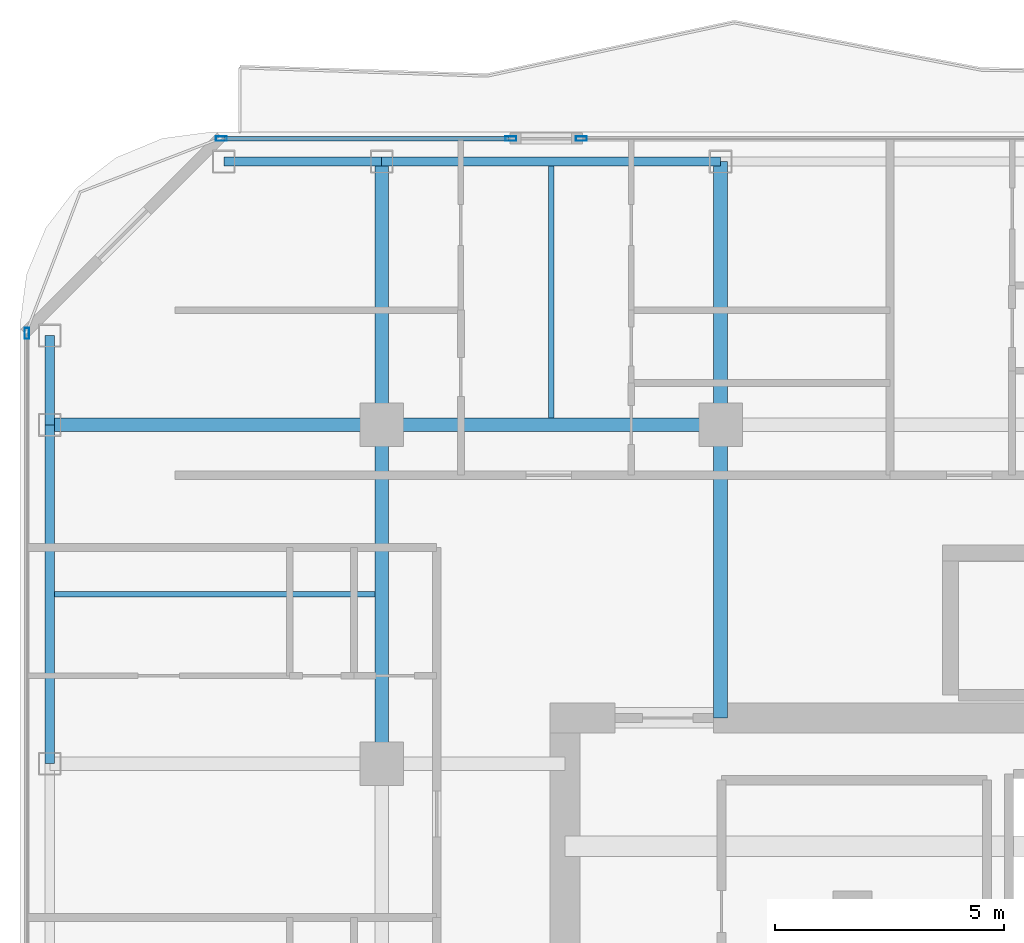
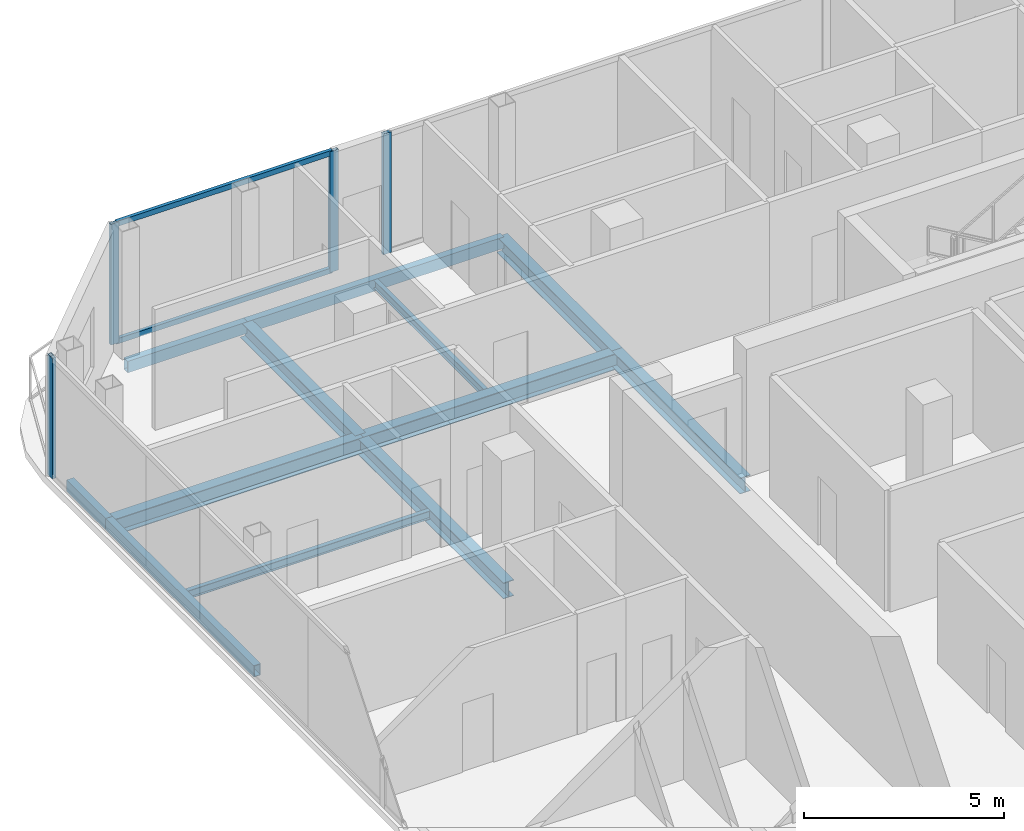
# One storey, part 11 of 23: 12 beams, 6 members, 3 elements without a shape of their own.
"""IFC4 building model written with IfcOpenShell, lengths in metres."""

import ifcopenshell
import ifcopenshell.guid

model = None  # the IFC model being written
_history = None  # IfcOwnerHistory: only IFC2X3 demands one
_inside = {}  # id of a spatial element -> (the spatial element, [elements in it])
_under = {}  # id of a project, library or spatial element -> (it, [spatial elements below it])
_declared = {}  # id of a project -> (the project, [libraries it declares])
_typed = {}  # id of a type object -> (the type object, [elements of that type])
_made_of = {}  # id of a material, layer set ... -> (it, [elements and type objects made of it])


def new_model(schema):
    """Start an empty IFC model of exactly this schema.

    Asked for "IFC4X3", IfcOpenShell would pick the latest addendum, in which some entities
    have other attributes; the version numbers below select the first issue.
    IFC2X3 requires an IfcOwnerHistory on every rooted entity: one is made here for all.
    """
    global model, _history
    if schema == "IFC4X3":
        model = ifcopenshell.file(schema_version=(4, 3, 0, 0))
    else:
        model = ifcopenshell.file(schema=schema)
    _inside.clear()
    _under.clear()
    _declared.clear()
    _typed.clear()
    _made_of.clear()
    _history = None
    if model.schema == "IFC2X3":
        org = make("IfcOrganization", Name="unknown")
        user = make(
            "IfcPersonAndOrganization",
            ThePerson=make("IfcPerson", FamilyName="unknown"),
            TheOrganization=org,
        )
        app = make(
            "IfcApplication",
            ApplicationDeveloper=org,
            Version="unknown",
            ApplicationFullName="unknown",
            ApplicationIdentifier="unknown",
        )
        _history = make(
            "IfcOwnerHistory",
            OwningUser=user,
            OwningApplication=app,
            ChangeAction="ADDED",
            CreationDate=0,
        )
    return model


def make(cls, **values):
    """One entity of the class cls with the attributes given. An attribute that is None is left unset."""
    return model.create_entity(
        cls, **{name: value for name, value in values.items() if value is not None}
    )


def rooted(cls, **values):
    """An entity with a GlobalId (a new one), such as an element, a storey or a relation."""
    return make(cls, GlobalId=ifcopenshell.guid.new(), OwnerHistory=_history, **values)


def si_unit(unit_type, name, prefix=None):
    """IfcSIUnit, for example si_unit("LENGTHUNIT", "METRE", prefix="MILLI")."""
    return make("IfcSIUnit", UnitType=unit_type, Prefix=prefix, Name=name)


def assignment(units):
    """IfcUnitAssignment: the units of a project."""
    return None if units is None else make("IfcUnitAssignment", Units=units)


def point(xyz):
    """IfcCartesianPoint."""
    return None if xyz is None else make("IfcCartesianPoint", Coordinates=xyz)


def direction(xyz):
    """IfcDirection."""
    return None if xyz is None else make("IfcDirection", DirectionRatios=xyz)


def frame(location, z_axis=None, x_axis=None):
    """IfcAxis2Placement3D, a coordinate frame: its origin and axes. An axis left out is left unset."""
    return make(
        "IfcAxis2Placement3D",
        Location=point(location),
        Axis=direction(z_axis),
        RefDirection=direction(x_axis),
    )


def frame_2d(location, x_axis=None):
    """IfcAxis2Placement2D, a coordinate frame in the plane: its origin and x axis."""
    return make(
        "IfcAxis2Placement2D", Location=point(location), RefDirection=direction(x_axis)
    )


def origin():
    """The frame at (0, 0, 0) with its axes left unset."""
    return frame((0.0, 0.0, 0.0))


def origin_2d():
    """The frame at (0, 0) in the plane with its x axis left unset."""
    return frame_2d((0.0, 0.0))


def place(relative_to, where):
    """IfcLocalPlacement: puts the frame where relative to a parent placement (None: the world)."""
    return make(
        "IfcLocalPlacement", PlacementRelTo=relative_to, RelativePlacement=where
    )


def context(
    kind, dimensions, precision=None, world=None, true_north=None, identifier=None
):
    """IfcGeometricRepresentationContext, for example the 3D "Model" context."""
    return make(
        "IfcGeometricRepresentationContext",
        ContextIdentifier=identifier,
        ContextType=kind,
        CoordinateSpaceDimension=dimensions,
        Precision=precision,
        WorldCoordinateSystem=world,
        TrueNorth=true_north,
    )


def subcontext(parent, identifier, kind, view, scale=None):
    """IfcGeometricRepresentationSubContext, for example "Body" below "Model"."""
    return make(
        "IfcGeometricRepresentationSubContext",
        ContextIdentifier=identifier,
        ContextType=kind,
        ParentContext=parent,
        TargetScale=scale,
        TargetView=view,
    )


def project(units=None, contexts=None):
    """IfcProject with its units and contexts."""
    return rooted(
        "IfcProject",
        Name="project",
        RepresentationContexts=contexts,
        UnitsInContext=assignment(units),
    )


def spatial(cls, under=None, at=None, **own):
    """A site, building, storey or space (cls), placed at a placement, below another one or the project."""
    s = rooted(cls, ObjectPlacement=at, **own)
    if under is not None:
        _under.setdefault(under.id(), (under, []))[1].append(s)
    return s


def profile(cls, at=None, kind="AREA", **sizes):
    """A parametric profile (cls). Its sizes go by their IFC names, for example OverallWidth=200.0."""
    return make(cls, ProfileType=kind, Position=at, **sizes)


def hollow_rectangle(**sizes):
    """IfcRectangleHollowProfileDef."""
    return profile("IfcRectangleHollowProfileDef", **sizes)


def i_section(**sizes):
    """IfcIShapeProfileDef."""
    return profile("IfcIShapeProfileDef", **sizes)


def extrude(swept, where, along, depth):
    """IfcExtrudedAreaSolid: the profile swept, set in the frame where, extruded along a direction by depth."""
    return make(
        "IfcExtrudedAreaSolid",
        SweptArea=swept,
        Position=where,
        ExtrudedDirection=direction(along),
        Depth=depth,
    )


def shape(context_of_items, identifier, shape_type, items):
    """IfcShapeRepresentation: the items that make up one representation, for example the "Body"."""
    return make(
        "IfcShapeRepresentation",
        ContextOfItems=context_of_items,
        RepresentationIdentifier=identifier,
        RepresentationType=shape_type,
        Items=items,
    )


def material(Name=None, Category=None):
    """IfcMaterial."""
    return make("IfcMaterial", Name=Name, Category=Category)


def layer(
    of_material, thickness, ventilated=None, Name=None, Category=None, Priority=None
):
    """IfcMaterialLayer: one layer of a wall or slab, of a material (None: an air gap)."""
    return make(
        "IfcMaterialLayer",
        Material=of_material,
        LayerThickness=thickness,
        IsVentilated=ventilated,
        Name=Name,
        Category=Category,
        Priority=Priority,
    )


def layer_set(layers, Name=None):
    """IfcMaterialLayerSet."""
    return make("IfcMaterialLayerSet", MaterialLayers=layers, LayerSetName=Name)


def material_profile(
    of_material, cross_section, Name=None, Category=None, Priority=None
):
    """IfcMaterialProfile: a cross section and its material."""
    return make(
        "IfcMaterialProfile",
        Name=Name,
        Material=of_material,
        Profile=cross_section,
        Priority=Priority,
        Category=Category,
    )


def profile_set(profiles, Name=None, composite=None):
    """IfcMaterialProfileSet."""
    return make(
        "IfcMaterialProfileSet",
        Name=Name,
        MaterialProfiles=profiles,
        CompositeProfile=composite,
    )


def made_of(thing, what):
    """Note that an element or type object is made of a material, layer set ...; save() writes the relation."""
    if what is not None:
        _made_of.setdefault(what.id(), (what, []))[1].append(thing)
    return thing


def type_object(cls, material=None, **own):
    """A type object (cls), such as IfcWallType, which elements share."""
    return made_of(rooted(cls, **own), material)


def element(
    cls,
    number,
    at=None,
    inside=None,
    cuts=None,
    type_object=None,
    material=None,
    context=None,
    identifier="Body",
    shape_type=None,
    held_by="IfcProductDefinitionShape",
    body=None,
    shapes=None,
    **own,
):
    """One element of the class cls, such as IfcWall. Its Tag is "e" and its number.

    at: its placement. inside: the storey or other place that contains it. cuts: it is an
    opening in that element (IfcRelVoidsElement). A single representation is given by context,
    identifier, shape_type and body (its items); several are given by shapes. held_by: the class
    of the entity that holds the representations. save() writes the other relations.
    """
    e = rooted(cls, Tag="e%d" % number, ObjectPlacement=at, **own)
    if body is not None:
        shapes = [shape(context, identifier, shape_type, body)]
    if shapes is not None:
        e.Representation = make(held_by, Representations=shapes)
    if inside is not None:
        _inside.setdefault(inside.id(), (inside, []))[1].append(e)
    if cuts is not None:
        rooted(
            "IfcRelVoidsElement", RelatingBuildingElement=cuts, RelatedOpeningElement=e
        )
    if type_object is not None:
        _typed.setdefault(type_object.id(), (type_object, []))[1].append(e)
    return made_of(e, material)


def aggregate(whole, parts):
    """IfcRelAggregates: a whole, such as a stair, and the parts it consists of."""
    return rooted("IfcRelAggregates", RelatingObject=whole, RelatedObjects=parts)


def save(model, path):
    """Write the relations noted so far, then the file.

    IfcRelAggregates (storeys below a building ...), IfcRelContainedInSpatialStructure (elements
    in a storey), IfcRelDefinesByType, IfcRelAssociatesMaterial and IfcRelDeclares: one each for
    every whole, place, type object, material and project.
    """
    for whole, parts in _under.values():
        aggregate(whole, parts)
    for where, things in _inside.values():
        rooted(
            "IfcRelContainedInSpatialStructure",
            RelatedElements=things,
            RelatingStructure=where,
        )
    for kind, things in _typed.values():
        rooted("IfcRelDefinesByType", RelatedObjects=things, RelatingType=kind)
    for what, things in _made_of.values():
        rooted("IfcRelAssociatesMaterial", RelatedObjects=things, RelatingMaterial=what)
    for by, libraries in _declared.values():
        rooted("IfcRelDeclares", RelatingContext=by, RelatedDefinitions=libraries)
    model.write(path)


model = new_model("IFC4")

# Units and contexts
model_context = context("Model", 3, precision=1e-05, world=origin(), true_north=direction((0.0, 1.0)))
body_context = subcontext(model_context, "Body", "Model", "MODEL_VIEW")
ifc_project = project(units=[si_unit("LENGTHUNIT", "METRE"), si_unit("AREAUNIT", "SQUARE_METRE"), si_unit("VOLUMEUNIT", "CUBIC_METRE"), si_unit("PLANEANGLEUNIT", "RADIAN"), si_unit("MASSUNIT", "GRAM", prefix="KILO")], contexts=[model_context])

# Site, building, storey
site_placement = place(None, origin())
site = spatial("IfcSite", under=ifc_project, at=site_placement, CompositionType="ELEMENT")
building_placement = place(site_placement, origin())
building = spatial("IfcBuilding", under=site, at=building_placement, Name="Khorvyn Point Tower", CompositionType="ELEMENT")
storey_placement = place(building_placement, frame((0.0, 0.0, 297.60009765625)))
storey = spatial("IfcBuildingStorey", under=building, at=storey_placement, Name="L73", CompositionType="ELEMENT", Elevation=297.60009765625)

# Curtain wall, members
ifc_material_1 = material(Name="Anodised aluminium 6063-T6 and laminated Low-E glass", Category="aluminium")
ifc_layer = layer(ifc_material_1, 0.18994140625)
ifc_layer_set = layer_set([ifc_layer], Name="Stick-Built High-Wind Curtain Wall CW-SYS-04")
curtain_wall_type = type_object("IfcCurtainWallType", Name="Stick-Built High-Wind Curtain Wall CW-SYS-04", PredefinedType="NOTDEFINED", material=ifc_layer_set)
curtain_wall_1_placement = place(storey_placement, origin())
curtain_wall_1 = element("IfcCurtainWall", 1, at=curtain_wall_1_placement, inside=storey, type_object=curtain_wall_type, Name="Curtain Wall", PredefinedType="NOTDEFINED")
ifc_material_2 = material(Name="Anodised aluminium 6063-T6", Category="aluminium")
ifc_material_profile_1 = material_profile(ifc_material_2, hollow_rectangle(XDim=0.10009765625, YDim=0.239990234375, WallThickness=0.0048828125, at=origin_2d()))
ifc_profile_set_1 = profile_set([ifc_material_profile_1], Name="Anodised aluminium 6063-T6 ALU-MUL-100x240")
member_type_1 = type_object("IfcMemberType", Name="Anodised Aluminium 6063-T6 Mullion ALU-MUL-100x240", PredefinedType="MULLION", material=ifc_profile_set_1)
member_1_placement = place(storey_placement, frame((-18.300048828125, 21.050048828125, 0.0), z_axis=(0.0, 0.0, 1.0), x_axis=(0.0, 1.0, 0.0)))
member_1 = element("IfcMember", 2, at=member_1_placement, type_object=member_type_1, Name="Transom", PredefinedType="MULLION", context=body_context, shape_type="SweptSolid", body=[
    extrude(hollow_rectangle(XDim=0.10009765625, YDim=0.239990234375, WallThickness=0.0048828125, at=origin_2d()), origin(), (0.0, 0.0, 1.0), 3.679931640625),
])
member_2_placement = place(storey_placement, frame((-11.97998046875, 21.050048828125, 0.0), z_axis=(0.0, 0.0, 1.0), x_axis=(0.0, 1.0, 0.0)))
member_2 = element("IfcMember", 3, at=member_2_placement, type_object=member_type_1, Name="Transom", PredefinedType="MULLION", context=body_context, shape_type="SweptSolid", body=[
    extrude(hollow_rectangle(XDim=0.10009765625, YDim=0.239990234375, WallThickness=0.0048828125, at=origin_2d()), origin(), (0.0, 0.0, 1.0), 3.679931640625),
])

# Curtain wall, member
curtain_wall_2_placement = place(storey_placement, origin())
curtain_wall_2 = element("IfcCurtainWall", 4, at=curtain_wall_2_placement, inside=storey, type_object=curtain_wall_type, Name="Curtain Wall", PredefinedType="NOTDEFINED")
member_3_placement = place(storey_placement, frame((-10.43994140625, 21.050048828125, 0.0), z_axis=(0.0, 0.0, 1.0), x_axis=(0.0, 1.0, 0.0)))
member_3 = element("IfcMember", 5, at=member_3_placement, type_object=member_type_1, Name="Transom", PredefinedType="MULLION", context=body_context, shape_type="SweptSolid", body=[
    extrude(hollow_rectangle(XDim=0.10009765625, YDim=0.239990234375, WallThickness=0.0048828125, at=origin_2d()), origin(), (0.0, 0.0, 1.0), 3.679931640625),
])
aggregate(curtain_wall_2, [member_3])

curtain_wall_3_placement = place(storey_placement, origin())
curtain_wall_3 = element("IfcCurtainWall", 6, at=curtain_wall_3_placement, inside=storey, type_object=curtain_wall_type, Name="Curtain Wall", PredefinedType="NOTDEFINED")
member_4_placement = place(storey_placement, frame((-22.550048828125, 16.800048828125, 0.0), z_axis=(0.0, 0.0, 1.0), x_axis=(-1.0, 0.0, 0.0)))
member_4 = element("IfcMember", 7, at=member_4_placement, type_object=member_type_1, Name="Transom", PredefinedType="MULLION", context=body_context, shape_type="SweptSolid", body=[
    extrude(hollow_rectangle(XDim=0.10009765625, YDim=0.239990234375, WallThickness=0.0048828125, at=origin_2d()), origin(), (0.0, 0.0, 1.0), 3.679931640625),
])
aggregate(curtain_wall_3, [member_4])

# Member
ifc_material_profile_2 = material_profile(ifc_material_2, hollow_rectangle(XDim=0.10009765625, YDim=0.159912109375, WallThickness=0.00439453125, at=origin_2d()))
ifc_profile_set_2 = profile_set([ifc_material_profile_2], Name="Anodised aluminium 6063-T6 ALU-TRN-100x160")
member_type_2 = type_object("IfcMemberType", Name="Anodised Aluminium 6063-T6 Transom ALU-TRN-100x160", PredefinedType="USERDEFINED", material=ifc_profile_set_2)
member_5_placement = place(storey_placement, frame((-18.25, 21.050048828125, 0.0498046875), z_axis=(1.0, 0.0, 0.0), x_axis=(0.0, 1.0, 0.0)))
member_5 = element("IfcMember", 8, at=member_5_placement, type_object=member_type_2, Name="Transom", ObjectType="TRANSOM", PredefinedType="USERDEFINED", context=body_context, shape_type="SweptSolid", body=[
    extrude(hollow_rectangle(XDim=0.10009765625, YDim=0.159912109375, WallThickness=0.00439453125, at=origin_2d()), origin(), (0.0, 0.0, 1.0), 6.219970703125),
])

member_6_placement = place(storey_placement, frame((-18.25, 21.050048828125, 3.6298828125), z_axis=(1.0, 0.0, 0.0), x_axis=(0.0, 1.0, 0.0)))
member_6 = element("IfcMember", 9, at=member_6_placement, type_object=member_type_2, Name="Transom", ObjectType="TRANSOM", PredefinedType="USERDEFINED", context=body_context, shape_type="SweptSolid", body=[
    extrude(hollow_rectangle(XDim=0.10009765625, YDim=0.159912109375, WallThickness=0.00439453125, at=origin_2d()), origin(), (0.0, 0.0, 1.0), 6.219970703125),
])

aggregate(curtain_wall_1, [member_1, member_2, member_5, member_6])

# Beams
ifc_material_3 = material(Name="Steel S355", Category="steel")
ifc_material_profile_3 = material_profile(ifc_material_3, i_section(OverallWidth=0.125, OverallDepth=0.25, WebThickness=0.006103515625, FlangeThickness=0.009033203125, at=origin_2d()))
ifc_profile_set_3 = profile_set([ifc_material_profile_3], Name="Steel S355 H250x125x6x9")
beam_type_1 = type_object("IfcBeamType", Name="Steel S355 Joist H250x125x6x9", PredefinedType="JOIST", material=ifc_profile_set_3)
beam_1_placement = place(storey_placement, frame((-21.949951171875, 11.10009765625, -0.34521484375), z_axis=(1.0, 0.0, 0.0), x_axis=(0.0, 1.0, 0.0)))
element("IfcBeam", 10, at=beam_1_placement, inside=storey, type_object=beam_type_1, Name="Beam", PredefinedType="JOIST", context=body_context, shape_type="SweptSolid", body=[
    extrude(i_section(OverallWidth=0.125, OverallDepth=0.25, WebThickness=0.006103515625, FlangeThickness=0.009033203125, at=origin_2d()), origin(), (0.0, 0.0, 1.0), 7.0),
])
beam_2_placement = place(storey_placement, frame((-11.10009765625, 14.949951171875, -0.34521484375), z_axis=(0.0, 1.0, 0.0), x_axis=(-1.0, 0.0, 0.0)))
element("IfcBeam", 11, at=beam_2_placement, inside=storey, type_object=beam_type_1, Name="Beam", PredefinedType="JOIST", context=body_context, shape_type="SweptSolid", body=[
    extrude(i_section(OverallWidth=0.125, OverallDepth=0.25, WebThickness=0.006103515625, FlangeThickness=0.009033203125, at=origin_2d()), origin(), (0.0, 0.0, 1.0), 5.5),
])
ifc_material_profile_4 = material_profile(ifc_material_3, i_section(OverallWidth=0.300048828125, OverallDepth=0.488037109375, WebThickness=0.010986328125, FlangeThickness=0.01806640625, at=origin_2d()))
ifc_profile_set_4 = profile_set([ifc_material_profile_4], Name="Steel S355 H488x300x11x18")
beam_type_2 = type_object("IfcBeamType", Name="Steel S355 Spandrel H488x300x11x18", PredefinedType="SPANDREL", material=ifc_profile_set_4)
beam_3_placement = place(storey_placement, frame((-22.050048828125, 14.800048828125, -0.464111328125), z_axis=(1.0, 0.0, 0.0), x_axis=(0.0, 1.0, 0.0)))
element("IfcBeam", 12, at=beam_3_placement, inside=storey, type_object=beam_type_2, Name="Beam", PredefinedType="SPANDREL", context=body_context, shape_type="SweptSolid", body=[
    extrude(i_section(OverallWidth=0.300048828125, OverallDepth=0.488037109375, WebThickness=0.010986328125, FlangeThickness=0.01806640625, at=origin_2d()), origin(), (0.0, 0.0, 1.0), 7.25),
])
for number, where, z_axis, x_axis, name in (
    (13, (-14.800048828125, 14.800048828125, -0.464111328125), (1.0, 0.0, 0.0), (0.0, 1.0, 0.0), "Beam"),
    (14, (-14.800048828125, 7.39990234375, -0.464111328125), (0.0, 1.0, 0.0), (-1.0, 0.0, 0.0), "Beam"),
):
    element("IfcBeam", number, at=place(storey_placement, frame(where, z_axis=z_axis, x_axis=x_axis)), inside=storey, type_object=beam_type_2, Name=name, PredefinedType="SPANDREL", context=body_context, shape_type="SweptSolid", body=[
        extrude(i_section(OverallWidth=0.300048828125, OverallDepth=0.488037109375, WebThickness=0.010986328125, FlangeThickness=0.01806640625, at=origin_2d()), origin(), (0.0, 0.0, 1.0), 7.400146484375),
    ])
beam_4_placement = place(storey_placement, frame((-14.800048828125, 14.800048828125, -0.464111328125), z_axis=(0.0, 1.0, 0.0), x_axis=(-1.0, 0.0, 0.0)))
element("IfcBeam", 15, at=beam_4_placement, inside=storey, type_object=beam_type_2, Name="Beam", PredefinedType="SPANDREL", context=body_context, shape_type="SweptSolid", body=[
    extrude(i_section(OverallWidth=0.300048828125, OverallDepth=0.488037109375, WebThickness=0.010986328125, FlangeThickness=0.01806640625, at=origin_2d()), origin(), (0.0, 0.0, 1.0), 5.75),
])
beam_5_placement = place(storey_placement, frame((-7.39990234375, 8.39990234375, -0.464111328125), z_axis=(0.0, 1.0, 0.0), x_axis=(-1.0, 0.0, 0.0)))
element("IfcBeam", 16, at=beam_5_placement, inside=storey, type_object=beam_type_2, Name="Beam", PredefinedType="SPANDREL", context=body_context, shape_type="SweptSolid", body=[
    extrude(i_section(OverallWidth=0.300048828125, OverallDepth=0.488037109375, WebThickness=0.010986328125, FlangeThickness=0.01806640625, at=origin_2d()), origin(), (0.0, 0.0, 1.0), 6.400146484375),
])
beam_6_placement = place(storey_placement, frame((-7.39990234375, 14.800048828125, -0.464111328125), z_axis=(0.0, 1.0, 0.0), x_axis=(-1.0, 0.0, 0.0)))
element("IfcBeam", 17, at=beam_6_placement, inside=storey, type_object=beam_type_2, Name="Beam", PredefinedType="SPANDREL", context=body_context, shape_type="SweptSolid", body=[
    extrude(i_section(OverallWidth=0.300048828125, OverallDepth=0.488037109375, WebThickness=0.010986328125, FlangeThickness=0.01806640625, at=origin_2d()), origin(), (0.0, 0.0, 1.0), 5.75),
])
ifc_material_profile_5 = material_profile(ifc_material_3, hollow_rectangle(XDim=0.199951171875, YDim=0.35009765625, WallThickness=0.013916015625, at=origin_2d()))
ifc_profile_set_5 = profile_set([ifc_material_profile_5], Name="Steel S355 RHS350x200x14")
beam_type_3 = type_object("IfcBeamType", Name="Steel S355 Spandrel RHS350x200x14", PredefinedType="SPANDREL", material=ifc_profile_set_5)
beam_7_placement = place(storey_placement, frame((-18.25, 20.550048828125, -0.39501953125), z_axis=(1.0, 0.0, 0.0), x_axis=(0.0, 1.0, 0.0)))
element("IfcBeam", 18, at=beam_7_placement, inside=storey, type_object=beam_type_3, Name="Beam", PredefinedType="SPANDREL", context=body_context, shape_type="SweptSolid", body=[
    extrude(hollow_rectangle(XDim=0.199951171875, YDim=0.35009765625, WallThickness=0.013916015625, at=origin_2d()), origin(), (0.0, 0.0, 1.0), 3.449951171875),
])
for number, where, z_axis, x_axis, name in (
    (19, (-14.800048828125, 20.550048828125, -0.39501953125), (1.0, 0.0, 0.0), (0.0, 1.0, 0.0), "Beam"),
    (20, (-22.050048828125, 7.39990234375, -0.39501953125), (0.0, 1.0, 0.0), (-1.0, 0.0, 0.0), "Beam"),
):
    element("IfcBeam", number, at=place(storey_placement, frame(where, z_axis=z_axis, x_axis=x_axis)), inside=storey, type_object=beam_type_3, Name=name, PredefinedType="SPANDREL", context=body_context, shape_type="SweptSolid", body=[
        extrude(hollow_rectangle(XDim=0.199951171875, YDim=0.35009765625, WallThickness=0.013916015625, at=origin_2d()), origin(), (0.0, 0.0, 1.0), 7.400146484375),
    ])
beam_8_placement = place(storey_placement, frame((-22.050048828125, 14.800048828125, -0.39501953125), z_axis=(0.0, 1.0, 0.0), x_axis=(-1.0, 0.0, 0.0)))
element("IfcBeam", 21, at=beam_8_placement, inside=storey, type_object=beam_type_3, Name="Beam", PredefinedType="SPANDREL", context=body_context, shape_type="SweptSolid", body=[
    extrude(hollow_rectangle(XDim=0.199951171875, YDim=0.35009765625, WallThickness=0.013916015625, at=origin_2d()), origin(), (0.0, 0.0, 1.0), 1.949951171875),
])

save(model, "model.ifc")
